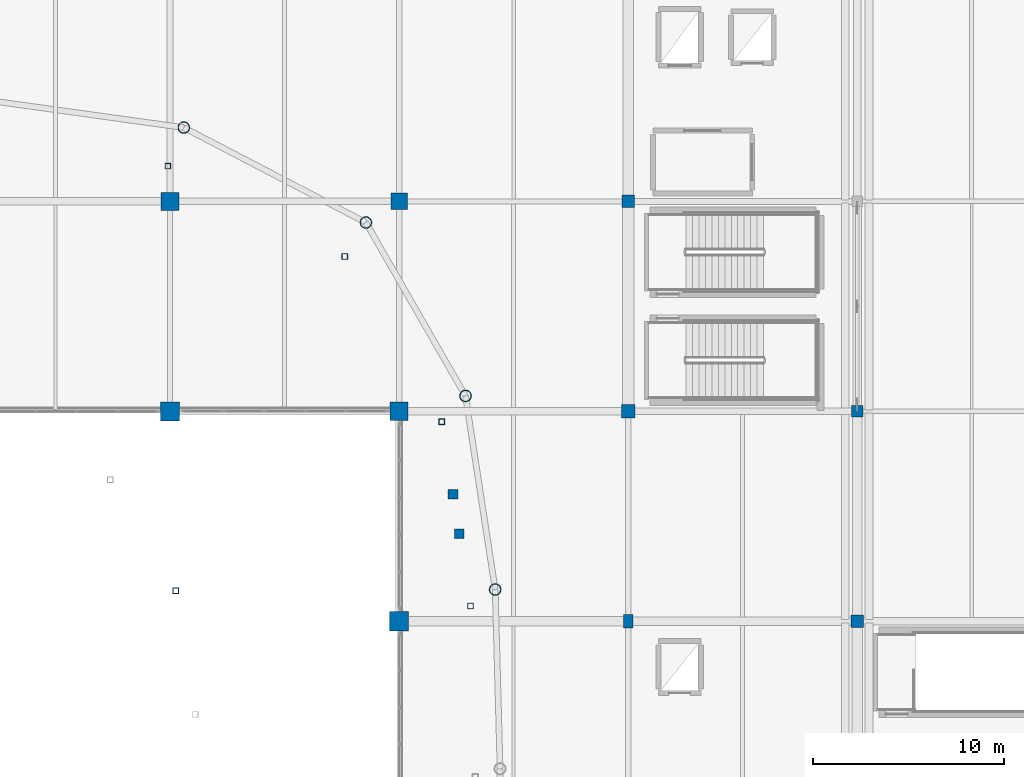
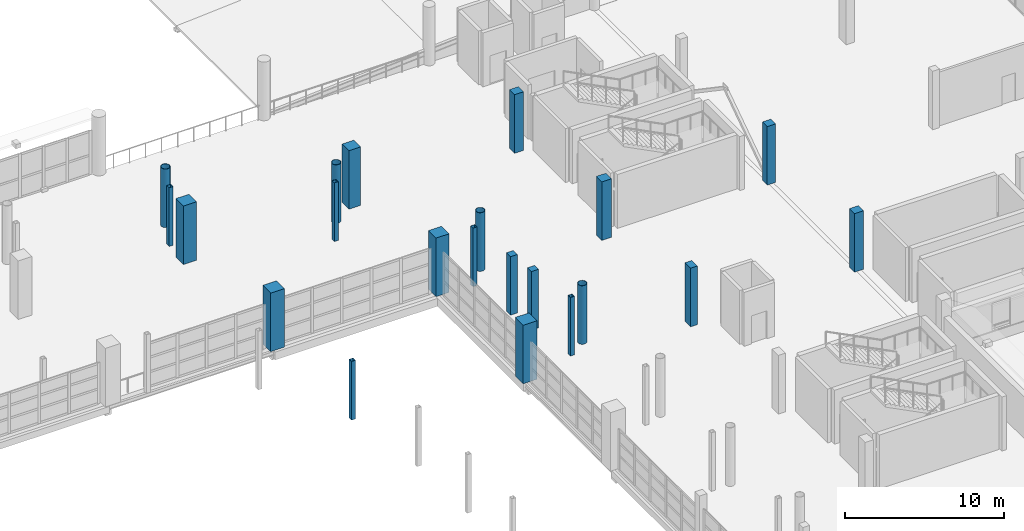
# One storey, part 19 of 118: 21 columns.
"""IFC4 building model written with IfcOpenShell, lengths in metres."""

from ifc_helpers import new_model, si_unit, direction, frame, origin, origin_2d, place, context, subcontext, project, spatial, rectangle, hollow_rectangle, hollow_circle, extrude, material, material_profile, profile_set, type_object, element, save


model = new_model("IFC4")

# Units and contexts
model_context = context("Model", 3, precision=1e-05, world=origin(), true_north=direction((0.0, 1.0)))
body_context = subcontext(model_context, "Body", "Model", "MODEL_VIEW")
ifc_project = project(units=[si_unit("LENGTHUNIT", "METRE"), si_unit("AREAUNIT", "SQUARE_METRE"), si_unit("VOLUMEUNIT", "CUBIC_METRE"), si_unit("PLANEANGLEUNIT", "RADIAN"), si_unit("MASSUNIT", "GRAM", prefix="KILO")], contexts=[model_context])

# Site, building, storey
site_placement = place(None, origin())
site = spatial("IfcSite", under=ifc_project, at=site_placement, CompositionType="ELEMENT")
building_placement = place(site_placement, origin())
building = spatial("IfcBuilding", under=site, at=building_placement, Name="Luwafu Chhajja Arena", CompositionType="ELEMENT")
storey_placement = place(building_placement, frame((0.0, 0.0, 10.199951171875)))
storey = spatial("IfcBuildingStorey", under=building, at=storey_placement, Name="L02", CompositionType="ELEMENT", Elevation=10.199951171875)

# Columns
ifc_material_1 = material(Name="Concrete C40/50", Category="concrete")
ifc_material_profile_1 = material_profile(ifc_material_1, rectangle(XDim=1.0, YDim=1.0, at=origin_2d()), Name="RC 1000x1000")
ifc_profile_set_1 = profile_set([ifc_material_profile_1], Name="Concrete C40/50")
column_type_1 = type_object("IfcColumnType", Name="Bowl Primary Column RC 1000", PredefinedType="COLUMN", material=ifc_profile_set_1)
for number, where, z_axis, x_axis, name in (
    (1, (128.0, 77.0, 0.0), (0.0, 0.0, 1.0), (1.0, 0.0, 0.0), "L02 Grid Column 12/H"),
    (2, (140.0, 66.0, 0.0), (0.0, 0.0, 1.0), (1.0, 0.0, 0.0), "L02 Grid Column 13/G"),
):
    element("IfcColumn", number, at=place(storey_placement, frame(where, z_axis=z_axis, x_axis=x_axis)), inside=storey, type_object=column_type_1, Name=name, PredefinedType="COLUMN", context=body_context, shape_type="SweptSolid", body=[
        extrude(rectangle(XDim=1.0, YDim=1.0, at=origin_2d()), origin(), (0.0, 0.0, 1.0), 4.5),
    ])
ifc_material_profile_2 = material_profile(ifc_material_1, rectangle(XDim=0.949951171875, YDim=0.949951171875, at=origin_2d()), Name="RC 950x950")
ifc_profile_set_2 = profile_set([ifc_material_profile_2], Name="Concrete C40/50")
column_type_2 = type_object("IfcColumnType", Name="Bowl Raker Support Column RC 950", PredefinedType="COLUMN", material=ifc_profile_set_2)
for number, where, z_axis, x_axis, name in (
    (3, (128.0, 88.0, 0.0), (0.0, 0.0, 1.0), (1.0, 0.0, 0.0), "L02 Grid Column 12/J"),
    (4, (140.0, 77.0, 0.0), (0.0, 0.0, 1.0), (1.0, 0.0, 0.0), "L02 Grid Column 13/H"),
):
    element("IfcColumn", number, at=place(storey_placement, frame(where, z_axis=z_axis, x_axis=x_axis)), inside=storey, type_object=column_type_2, Name=name, PredefinedType="COLUMN", context=body_context, shape_type="SweptSolid", body=[
        extrude(rectangle(XDim=0.949951171875, YDim=0.949951171875, at=origin_2d()), origin(), (0.0, 0.0, 1.0), 4.5),
    ])
ifc_material_2 = material(Name="Concrete C35/45", Category="concrete")
ifc_material_profile_3 = material_profile(ifc_material_2, rectangle(XDim=0.85009765625, YDim=0.85009765625, at=origin_2d()), Name="RC 850x850")
ifc_profile_set_3 = profile_set([ifc_material_profile_3], Name="Concrete C35/45")
column_type_3 = type_object("IfcColumnType", Name="Concourse Heavy Column RC 850", PredefinedType="COLUMN", material=ifc_profile_set_3)
column_1_placement = place(storey_placement, frame((140.0, 88.0, 0.0), z_axis=(0.0, 0.0, 1.0), x_axis=(1.0, 0.0, 0.0)))
element("IfcColumn", 5, at=column_1_placement, inside=storey, type_object=column_type_3, Name="L02 Grid Column 13/J", PredefinedType="COLUMN", context=body_context, shape_type="SweptSolid", body=[
    extrude(rectangle(XDim=0.85009765625, YDim=0.85009765625, at=origin_2d()), origin(), (0.0, 0.0, 1.0), 4.5),
])
ifc_material_profile_4 = material_profile(ifc_material_2, rectangle(XDim=0.60009765625, YDim=0.60009765625, at=origin_2d()), Name="RC 600x600")
ifc_profile_set_4 = profile_set([ifc_material_profile_4], Name="Concrete C35/45")
column_type_4 = type_object("IfcColumnType", Name="Mezzanine Column RC 600", PredefinedType="COLUMN", material=ifc_profile_set_4)
column_2_placement = place(storey_placement, frame((164.0, 77.0, 0.0), z_axis=(0.0, 0.0, 1.0), x_axis=(1.0, 0.0, 0.0)))
element("IfcColumn", 6, at=column_2_placement, inside=storey, type_object=column_type_4, Name="L02 Grid Column 15/H", PredefinedType="COLUMN", context=body_context, shape_type="SweptSolid", body=[
    extrude(rectangle(XDim=0.60009765625, YDim=0.60009765625, at=origin_2d()), origin(), (0.0, 0.0, 1.0), 4.5),
])
ifc_material_profile_5 = material_profile(ifc_material_2, rectangle(XDim=0.5, YDim=0.5, at=origin_2d()), Name="RC 500x500")
ifc_profile_set_5 = profile_set([ifc_material_profile_5], Name="Concrete C35/45")
column_type_5 = type_object("IfcColumnType", Name="Pavilion Column RC 500", PredefinedType="COLUMN", material=ifc_profile_set_5)
for number, where, z_axis, x_axis, name in (
    (7, (143.145751953125, 70.58984375, 0.0), (0.0, 0.0, 1.0), (1.0, 0.0, 0.0), "L02 Vomitory Stack Column VU03A"),
    (8, (142.821044921875, 72.66455078125, 0.0), (0.0, 0.0, 1.0), (1.0, 0.0, 0.0), "L02 Vomitory Stack Column VU03B"),
):
    element("IfcColumn", number, at=place(storey_placement, frame(where, z_axis=z_axis, x_axis=x_axis)), inside=storey, type_object=column_type_5, Name=name, PredefinedType="COLUMN", context=body_context, shape_type="SweptSolid", body=[
        extrude(rectangle(XDim=0.5, YDim=0.5, at=origin_2d()), origin(), (0.0, 0.0, 1.0), 4.5),
    ])
ifc_material_profile_6 = material_profile(ifc_material_2, rectangle(XDim=0.5, YDim=0.699951171875, at=origin_2d()), Name="RC 500x700")
ifc_profile_set_6 = profile_set([ifc_material_profile_6], Name="Concrete C35/45")
column_type_6 = type_object("IfcColumnType", Name="Perimeter Pilaster Column RC 500x700", PredefinedType="COLUMN", material=ifc_profile_set_6)
column_3_placement = place(storey_placement, frame((152.0, 66.0, 0.0), z_axis=(0.0, 0.0, 1.0), x_axis=(1.0, 0.0, 0.0)))
element("IfcColumn", 9, at=column_3_placement, inside=storey, type_object=column_type_6, Name="L02 Grid Column 14/G", PredefinedType="COLUMN", context=body_context, shape_type="SweptSolid", body=[
    extrude(rectangle(XDim=0.5, YDim=0.699951171875, at=origin_2d()), origin(), (0.0, 0.0, 1.0), 4.5),
])
ifc_material_3 = material(Name="Steel S355", Category="steel")
ifc_material_profile_7 = material_profile(ifc_material_3, hollow_circle(Radius=0.304931640625, WallThickness=0.02490234375, at=origin_2d()), Name="CHS 610x25")
ifc_profile_set_7 = profile_set([ifc_material_profile_7], Name="Steel S355")
column_type_7 = type_object("IfcColumnType", Name="Steel Bowl Drum Column CHS 610", PredefinedType="COLUMN", material=ifc_profile_set_7)
for number, where, z_axis, x_axis, name in (
    (10, (145.031982421875, 67.6611328125, 0.0), (0.0, 0.0, 1.0), (1.0, 0.0, 0.0), "L02 Bowl Drum Column D03"),
    (11, (143.47607421875, 77.805908203125, 0.0), (0.0, 0.0, 1.0), (1.0, 0.0, 0.0), "L02 Bowl Drum Column D04"),
    (12, (138.256103515625, 86.890869140625, 0.0), (0.0, 0.0, 1.0), (1.0, 0.0, 0.0), "L02 Bowl Drum Column D05"),
    (13, (128.718017578125, 91.86279296875, 0.0), (0.0, 0.0, 1.0), (1.0, 0.0, 0.0), "L02 Bowl Drum Column D06"),
):
    element("IfcColumn", number, at=place(storey_placement, frame(where, z_axis=z_axis, x_axis=x_axis)), inside=storey, type_object=column_type_7, Name=name, PredefinedType="COLUMN", context=body_context, shape_type="SweptSolid", body=[
        extrude(hollow_circle(Radius=0.304931640625, WallThickness=0.02490234375, at=origin_2d()), origin(), (0.0, 0.0, 1.0), 4.5),
    ])
ifc_material_profile_8 = material_profile(ifc_material_3, hollow_rectangle(XDim=0.300048828125, YDim=0.300048828125, WallThickness=0.01611328125, at=origin_2d()), Name="SHS 300x300x16")
ifc_profile_set_8 = profile_set([ifc_material_profile_8], Name="Steel S355")
column_type_8 = type_object("IfcColumnType", Name="Steel Gallery Post SHS 300", PredefinedType="COLUMN", material=ifc_profile_set_8)
for number, where, z_axis, x_axis, name in (
    (14, (128.298583984375, 67.600341796875, 0.0), (0.0, 0.0, 1.0), (1.0, 0.0, 0.0), "L02 Upper Bowl Raker Column UI04"),
    (15, (143.739501953125, 66.79638671875, 0.0), (0.0, 0.0, 1.0), (1.0, 0.0, 0.0), "L02 Upper Bowl Raker Column UO03"),
    (16, (142.227294921875, 76.4580078125, 0.0), (0.0, 0.0, 1.0), (1.0, 0.0, 0.0), "L02 Upper Bowl Raker Column UO04"),
    (17, (137.15380859375, 85.1103515625, 0.0), (0.0, 0.0, 1.0), (1.0, 0.0, 0.0), "L02 Upper Bowl Raker Column UO05"),
    (18, (127.883544921875, 89.845458984375, 0.0), (0.0, 0.0, 1.0), (1.0, 0.0, 0.0), "L02 Upper Bowl Raker Column UO06"),
):
    element("IfcColumn", number, at=place(storey_placement, frame(where, z_axis=z_axis, x_axis=x_axis)), inside=storey, type_object=column_type_8, Name=name, PredefinedType="COLUMN", context=body_context, shape_type="SweptSolid", body=[
        extrude(hollow_rectangle(XDim=0.300048828125, YDim=0.300048828125, WallThickness=0.01611328125, at=origin_2d()), origin(), (0.0, 0.0, 1.0), 4.5),
    ])
ifc_material_profile_9 = material_profile(ifc_material_2, rectangle(XDim=0.64990234375, YDim=0.64990234375, at=origin_2d()), Name="RC 650x650")
ifc_profile_set_9 = profile_set([ifc_material_profile_9], Name="Concrete C35/45")
column_type_9 = type_object("IfcColumnType", Name="Upper Wing Column RC 650", PredefinedType="COLUMN", material=ifc_profile_set_9)
for number, where, z_axis, x_axis, name in (
    (19, (152.0, 88.0, 0.0), (0.0, 0.0, 1.0), (1.0, 0.0, 0.0), "L02 Grid Column 14/J"),
    (20, (164.0, 66.0, 0.0), (0.0, 0.0, 1.0), (1.0, 0.0, 0.0), "L02 Grid Column 15/G"),
):
    element("IfcColumn", number, at=place(storey_placement, frame(where, z_axis=z_axis, x_axis=x_axis)), inside=storey, type_object=column_type_9, Name=name, PredefinedType="COLUMN", context=body_context, shape_type="SweptSolid", body=[
        extrude(rectangle(XDim=0.64990234375, YDim=0.64990234375, at=origin_2d()), origin(), (0.0, 0.0, 1.0), 4.5),
    ])
ifc_material_profile_10 = material_profile(ifc_material_2, rectangle(XDim=0.699951171875, YDim=0.699951171875, at=origin_2d()), Name="RC 700x700")
ifc_profile_set_10 = profile_set([ifc_material_profile_10], Name="Concrete C35/45")
column_type_10 = type_object("IfcColumnType", Name="Wing Frame Column RC 700", PredefinedType="COLUMN", material=ifc_profile_set_10)
column_4_placement = place(storey_placement, frame((152.0, 77.0, 0.0), z_axis=(0.0, 0.0, 1.0), x_axis=(1.0, 0.0, 0.0)))
element("IfcColumn", 21, at=column_4_placement, inside=storey, type_object=column_type_10, Name="L02 Grid Column 14/H", PredefinedType="COLUMN", context=body_context, shape_type="SweptSolid", body=[
    extrude(rectangle(XDim=0.699951171875, YDim=0.699951171875, at=origin_2d()), origin(), (0.0, 0.0, 1.0), 4.5),
])

save(model, "model.ifc")
